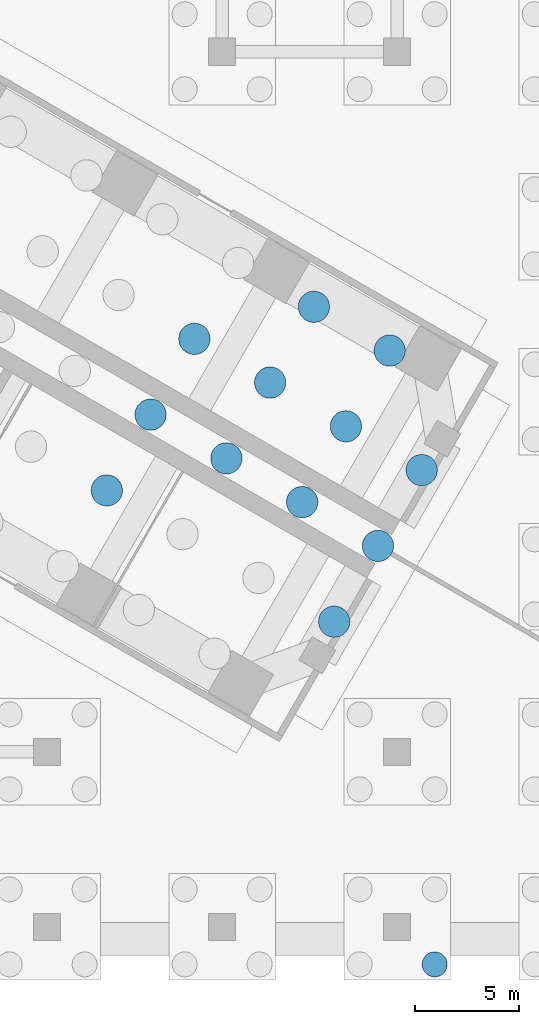
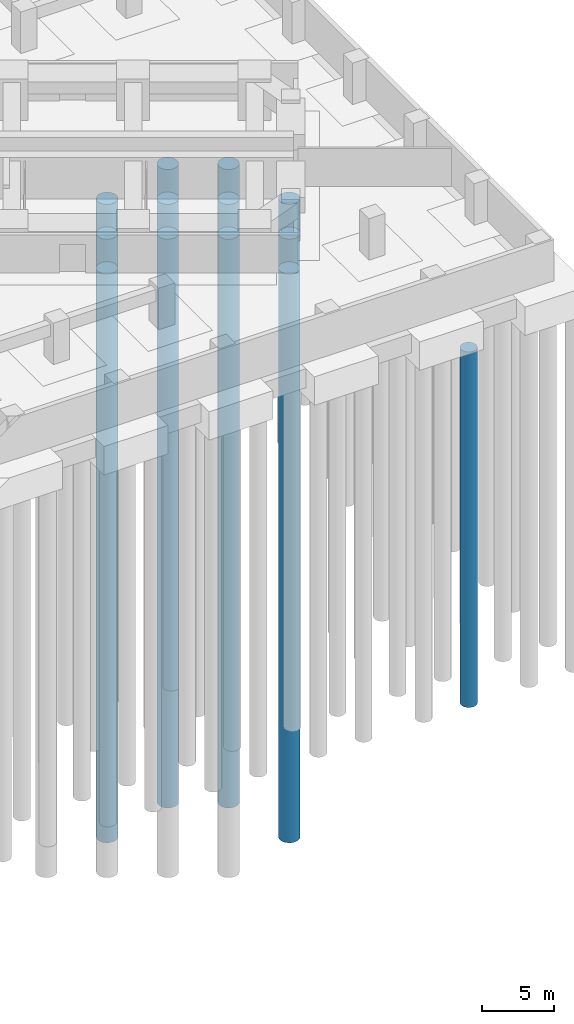
# One storey, part 23 of 73: 13 piles.
"""IFC4 building model written with IfcOpenShell, lengths in metres."""

from ifc_helpers import new_model, si_unit, direction, frame, origin, origin_2d, place, context, subcontext, project, spatial, polyline, circle, outline, extrude, material, material_profile, profile_set, type_object, element, save


model = new_model("IFC4")

# Units and contexts
model_context = context("Model", 3, precision=1e-05, world=origin(), true_north=direction((0.0, 1.0)))
body_context = subcontext(model_context, "Body", "Model", "MODEL_VIEW")
ifc_project = project(units=[si_unit("LENGTHUNIT", "METRE"), si_unit("AREAUNIT", "SQUARE_METRE"), si_unit("VOLUMEUNIT", "CUBIC_METRE"), si_unit("PLANEANGLEUNIT", "RADIAN"), si_unit("MASSUNIT", "GRAM", prefix="KILO")], contexts=[model_context])

# Site, building, storey
site_placement = place(None, origin())
site = spatial("IfcSite", under=ifc_project, at=site_placement, CompositionType="ELEMENT")
building_placement = place(site_placement, origin())
building = spatial("IfcBuilding", under=site, at=building_placement, Name="Impinga Residences", CompositionType="ELEMENT")
storey_placement = place(building_placement, frame((0.0, 0.0, -10.5)))
storey = spatial("IfcBuildingStorey", under=building, at=storey_placement, Name="B3", CompositionType="ELEMENT", Elevation=-10.5)

# Piles
ifc_material = material(Name="Concrete C35/45", Category="concrete")
ifc_material_profile_1 = material_profile(ifc_material, circle(Radius=0.75, at=origin_2d()), Name="D1500")
ifc_profile_set_1 = profile_set([ifc_material_profile_1], Name="Concrete C35/45")
pile_type_1 = type_object("IfcPileType", Name="BP1 bored pile D1500", PredefinedType="BORED", material=ifc_profile_set_1)
pile_1_placement = place(storey_placement, frame((38.976806640625, -27.35302734375, -4.0), z_axis=(0.0, 0.0, -1.0), x_axis=(1.0, 0.0, 0.0)))
element("IfcPile", 1, at=pile_1_placement, inside=storey, type_object=pile_type_1, Name="Raft pile BP1-004", PredefinedType="BORED", context=body_context, shape_type="SweptSolid", body=[
    extrude(outline(polyline([(0.75, 0.0), (0.746337890625, 0.073486328125), (0.735595703125, 0.146240234375), (0.7177734375, 0.2177734375), (0.69287109375, 0.287109375), (0.661376953125, 0.353515625), (0.62353515625, 0.416748046875), (0.579833984375, 0.475830078125), (0.5302734375, 0.5302734375), (0.475830078125, 0.579833984375), (0.416748046875, 0.62353515625), (0.353515625, 0.661376953125), (0.287109375, 0.69287109375), (0.2177734375, 0.7177734375), (0.146240234375, 0.735595703125), (0.073486328125, 0.746337890625), (0.0, 0.75), (-0.073486328125, 0.746337890625), (-0.146240234375, 0.735595703125), (-0.2177734375, 0.7177734375), (-0.287109375, 0.69287109375), (-0.353515625, 0.661376953125), (-0.416748046875, 0.62353515625), (-0.475830078125, 0.579833984375), (-0.5302734375, 0.5302734375), (-0.579833984375, 0.475830078125), (-0.62353515625, 0.416748046875), (-0.661376953125, 0.353515625), (-0.69287109375, 0.287109375), (-0.7177734375, 0.2177734375), (-0.735595703125, 0.146240234375), (-0.746337890625, 0.073486328125), (-0.75, 0.0), (-0.746337890625, -0.073486328125), (-0.735595703125, -0.146240234375), (-0.7177734375, -0.2177734375), (-0.69287109375, -0.287109375), (-0.661376953125, -0.353515625), (-0.62353515625, -0.416748046875), (-0.579833984375, -0.475830078125), (-0.5302734375, -0.5302734375), (-0.475830078125, -0.579833984375), (-0.416748046875, -0.62353515625), (-0.353515625, -0.661376953125), (-0.287109375, -0.69287109375), (-0.2177734375, -0.7177734375), (-0.146240234375, -0.735595703125), (-0.073486328125, -0.746337890625), (0.0, -0.75), (0.073486328125, -0.746337890625), (0.146240234375, -0.735595703125), (0.2177734375, -0.7177734375), (0.287109375, -0.69287109375), (0.353515625, -0.661376953125), (0.416748046875, -0.62353515625), (0.475830078125, -0.579833984375), (0.5302734375, -0.5302734375), (0.579833984375, -0.475830078125), (0.62353515625, -0.416748046875), (0.661376953125, -0.353515625), (0.69287109375, -0.287109375), (0.7177734375, -0.2177734375), (0.735595703125, -0.146240234375), (0.746337890625, -0.073486328125), (0.75, 0.0)])), origin(), (0.0, 0.0, 1.0), 48.0),
])
pile_2_placement = place(storey_placement, frame((41.076904296875, -23.7158203125, -4.0), z_axis=(0.0, 0.0, -1.0), x_axis=(1.0, 0.0, 0.0)))
element("IfcPile", 2, at=pile_2_placement, inside=storey, type_object=pile_type_1, Name="Raft pile BP1-012", PredefinedType="BORED", context=body_context, shape_type="SweptSolid", body=[
    extrude(outline(polyline([(0.75, 0.0), (0.746337890625, 0.073486328125), (0.735595703125, 0.146240234375), (0.7177734375, 0.2177734375), (0.69287109375, 0.287109375), (0.661376953125, 0.353515625), (0.62353515625, 0.416748046875), (0.579833984375, 0.475830078125), (0.5302734375, 0.5302734375), (0.475830078125, 0.579833984375), (0.416748046875, 0.62353515625), (0.353515625, 0.661376953125), (0.287109375, 0.69287109375), (0.2177734375, 0.7177734375), (0.146240234375, 0.735595703125), (0.073486328125, 0.746337890625), (0.0, 0.75), (-0.073486328125, 0.746337890625), (-0.146240234375, 0.735595703125), (-0.2177734375, 0.7177734375), (-0.287109375, 0.69287109375), (-0.353515625, 0.661376953125), (-0.416748046875, 0.62353515625), (-0.475830078125, 0.579833984375), (-0.5302734375, 0.5302734375), (-0.579833984375, 0.475830078125), (-0.62353515625, 0.416748046875), (-0.661376953125, 0.353515625), (-0.69287109375, 0.287109375), (-0.7177734375, 0.2177734375), (-0.735595703125, 0.146240234375), (-0.746337890625, 0.073486328125), (-0.75, 0.0), (-0.746337890625, -0.073486328125), (-0.735595703125, -0.146240234375), (-0.7177734375, -0.2177734375), (-0.69287109375, -0.287109375), (-0.661376953125, -0.353515625), (-0.62353515625, -0.416748046875), (-0.579833984375, -0.475830078125), (-0.5302734375, -0.5302734375), (-0.475830078125, -0.579833984375), (-0.416748046875, -0.62353515625), (-0.353515625, -0.661376953125), (-0.287109375, -0.69287109375), (-0.2177734375, -0.7177734375), (-0.146240234375, -0.735595703125), (-0.073486328125, -0.746337890625), (0.0, -0.75), (0.073486328125, -0.746337890625), (0.146240234375, -0.735595703125), (0.2177734375, -0.7177734375), (0.287109375, -0.69287109375), (0.353515625, -0.661376953125), (0.416748046875, -0.62353515625), (0.475830078125, -0.579833984375), (0.5302734375, -0.5302734375), (0.579833984375, -0.475830078125), (0.62353515625, -0.416748046875), (0.661376953125, -0.353515625), (0.69287109375, -0.287109375), (0.7177734375, -0.2177734375), (0.735595703125, -0.146240234375), (0.746337890625, -0.073486328125), (0.75, 0.0)])), origin(), (0.0, 0.0, 1.0), 48.0),
])
pile_3_placement = place(storey_placement, frame((37.439697265625, -21.61572265625, -4.0), z_axis=(0.0, 0.0, -1.0), x_axis=(1.0, 0.0, 0.0)))
element("IfcPile", 3, at=pile_3_placement, inside=storey, type_object=pile_type_1, Name="Raft pile BP1-018", PredefinedType="BORED", context=body_context, shape_type="SweptSolid", body=[
    extrude(outline(polyline([(0.75, 0.0), (0.746337890625, 0.073486328125), (0.735595703125, 0.146240234375), (0.7177734375, 0.2177734375), (0.69287109375, 0.287109375), (0.661376953125, 0.353515625), (0.62353515625, 0.416748046875), (0.579833984375, 0.475830078125), (0.5302734375, 0.5302734375), (0.475830078125, 0.579833984375), (0.416748046875, 0.62353515625), (0.353515625, 0.661376953125), (0.287109375, 0.69287109375), (0.2177734375, 0.7177734375), (0.146240234375, 0.735595703125), (0.073486328125, 0.746337890625), (0.0, 0.75), (-0.073486328125, 0.746337890625), (-0.146240234375, 0.735595703125), (-0.2177734375, 0.7177734375), (-0.287109375, 0.69287109375), (-0.353515625, 0.661376953125), (-0.416748046875, 0.62353515625), (-0.475830078125, 0.579833984375), (-0.5302734375, 0.5302734375), (-0.579833984375, 0.475830078125), (-0.62353515625, 0.416748046875), (-0.661376953125, 0.353515625), (-0.69287109375, 0.287109375), (-0.7177734375, 0.2177734375), (-0.735595703125, 0.146240234375), (-0.746337890625, 0.073486328125), (-0.75, 0.0), (-0.746337890625, -0.073486328125), (-0.735595703125, -0.146240234375), (-0.7177734375, -0.2177734375), (-0.69287109375, -0.287109375), (-0.661376953125, -0.353515625), (-0.62353515625, -0.416748046875), (-0.579833984375, -0.475830078125), (-0.5302734375, -0.5302734375), (-0.475830078125, -0.579833984375), (-0.416748046875, -0.62353515625), (-0.353515625, -0.661376953125), (-0.287109375, -0.69287109375), (-0.2177734375, -0.7177734375), (-0.146240234375, -0.735595703125), (-0.073486328125, -0.746337890625), (0.0, -0.75), (0.073486328125, -0.746337890625), (0.146240234375, -0.735595703125), (0.2177734375, -0.7177734375), (0.287109375, -0.69287109375), (0.353515625, -0.661376953125), (0.416748046875, -0.62353515625), (0.475830078125, -0.579833984375), (0.5302734375, -0.5302734375), (0.579833984375, -0.475830078125), (0.62353515625, -0.416748046875), (0.661376953125, -0.353515625), (0.69287109375, -0.287109375), (0.7177734375, -0.2177734375), (0.735595703125, -0.146240234375), (0.746337890625, -0.073486328125), (0.75, 0.0)])), origin(), (0.0, 0.0, 1.0), 48.0),
])
pile_4_placement = place(storey_placement, frame((28.06494140625, -21.052978515625, -4.0), z_axis=(0.0, 0.0, -1.0), x_axis=(1.0, 0.0, 0.0)))
element("IfcPile", 4, at=pile_4_placement, inside=storey, type_object=pile_type_1, Name="Raft pile BP1-020", PredefinedType="BORED", context=body_context, shape_type="SweptSolid", body=[
    extrude(outline(polyline([(0.75, 0.0), (0.746337890625, 0.073486328125), (0.735595703125, 0.146240234375), (0.7177734375, 0.2177734375), (0.69287109375, 0.287109375), (0.661376953125, 0.353515625), (0.62353515625, 0.416748046875), (0.579833984375, 0.475830078125), (0.5302734375, 0.5302734375), (0.475830078125, 0.579833984375), (0.416748046875, 0.62353515625), (0.353515625, 0.661376953125), (0.287109375, 0.69287109375), (0.2177734375, 0.7177734375), (0.146240234375, 0.735595703125), (0.073486328125, 0.746337890625), (0.0, 0.75), (-0.073486328125, 0.746337890625), (-0.146240234375, 0.735595703125), (-0.2177734375, 0.7177734375), (-0.287109375, 0.69287109375), (-0.353515625, 0.661376953125), (-0.416748046875, 0.62353515625), (-0.475830078125, 0.579833984375), (-0.5302734375, 0.5302734375), (-0.579833984375, 0.475830078125), (-0.62353515625, 0.416748046875), (-0.661376953125, 0.353515625), (-0.69287109375, 0.287109375), (-0.7177734375, 0.2177734375), (-0.735595703125, 0.146240234375), (-0.746337890625, 0.073486328125), (-0.75, 0.0), (-0.746337890625, -0.073486328125), (-0.735595703125, -0.146240234375), (-0.7177734375, -0.2177734375), (-0.69287109375, -0.287109375), (-0.661376953125, -0.353515625), (-0.62353515625, -0.416748046875), (-0.579833984375, -0.475830078125), (-0.5302734375, -0.5302734375), (-0.475830078125, -0.579833984375), (-0.416748046875, -0.62353515625), (-0.353515625, -0.661376953125), (-0.287109375, -0.69287109375), (-0.2177734375, -0.7177734375), (-0.146240234375, -0.735595703125), (-0.073486328125, -0.746337890625), (0.0, -0.75), (0.073486328125, -0.746337890625), (0.146240234375, -0.735595703125), (0.2177734375, -0.7177734375), (0.287109375, -0.69287109375), (0.353515625, -0.661376953125), (0.416748046875, -0.62353515625), (0.475830078125, -0.579833984375), (0.5302734375, -0.5302734375), (0.579833984375, -0.475830078125), (0.62353515625, -0.416748046875), (0.661376953125, -0.353515625), (0.69287109375, -0.287109375), (0.7177734375, -0.2177734375), (0.735595703125, -0.146240234375), (0.746337890625, -0.073486328125), (0.75, 0.0)])), origin(), (0.0, 0.0, 1.0), 48.0),
])
pile_5_placement = place(storey_placement, frame((43.177001953125, -20.078369140625, -4.0), z_axis=(0.0, 0.0, -1.0), x_axis=(1.0, 0.0, 0.0)))
element("IfcPile", 5, at=pile_5_placement, inside=storey, type_object=pile_type_1, Name="Raft pile BP1-024", PredefinedType="BORED", context=body_context, shape_type="SweptSolid", body=[
    extrude(outline(polyline([(0.75, 0.0), (0.746337890625, 0.073486328125), (0.735595703125, 0.146240234375), (0.7177734375, 0.2177734375), (0.69287109375, 0.287109375), (0.661376953125, 0.353515625), (0.62353515625, 0.416748046875), (0.579833984375, 0.475830078125), (0.5302734375, 0.5302734375), (0.475830078125, 0.579833984375), (0.416748046875, 0.62353515625), (0.353515625, 0.661376953125), (0.287109375, 0.69287109375), (0.2177734375, 0.7177734375), (0.146240234375, 0.735595703125), (0.073486328125, 0.746337890625), (0.0, 0.75), (-0.073486328125, 0.746337890625), (-0.146240234375, 0.735595703125), (-0.2177734375, 0.7177734375), (-0.287109375, 0.69287109375), (-0.353515625, 0.661376953125), (-0.416748046875, 0.62353515625), (-0.475830078125, 0.579833984375), (-0.5302734375, 0.5302734375), (-0.579833984375, 0.475830078125), (-0.62353515625, 0.416748046875), (-0.661376953125, 0.353515625), (-0.69287109375, 0.287109375), (-0.7177734375, 0.2177734375), (-0.735595703125, 0.146240234375), (-0.746337890625, 0.073486328125), (-0.75, 0.0), (-0.746337890625, -0.073486328125), (-0.735595703125, -0.146240234375), (-0.7177734375, -0.2177734375), (-0.69287109375, -0.287109375), (-0.661376953125, -0.353515625), (-0.62353515625, -0.416748046875), (-0.579833984375, -0.475830078125), (-0.5302734375, -0.5302734375), (-0.475830078125, -0.579833984375), (-0.416748046875, -0.62353515625), (-0.353515625, -0.661376953125), (-0.287109375, -0.69287109375), (-0.2177734375, -0.7177734375), (-0.146240234375, -0.735595703125), (-0.073486328125, -0.746337890625), (0.0, -0.75), (0.073486328125, -0.746337890625), (0.146240234375, -0.735595703125), (0.2177734375, -0.7177734375), (0.287109375, -0.69287109375), (0.353515625, -0.661376953125), (0.416748046875, -0.62353515625), (0.475830078125, -0.579833984375), (0.5302734375, -0.5302734375), (0.579833984375, -0.475830078125), (0.62353515625, -0.416748046875), (0.661376953125, -0.353515625), (0.69287109375, -0.287109375), (0.7177734375, -0.2177734375), (0.735595703125, -0.146240234375), (0.746337890625, -0.073486328125), (0.75, 0.0)])), origin(), (0.0, 0.0, 1.0), 48.0),
])
pile_6_placement = place(storey_placement, frame((33.80224609375, -19.515869140625, -4.0), z_axis=(0.0, 0.0, -1.0), x_axis=(1.0, 0.0, 0.0)))
element("IfcPile", 6, at=pile_6_placement, inside=storey, type_object=pile_type_1, Name="Raft pile BP1-026", PredefinedType="BORED", context=body_context, shape_type="SweptSolid", body=[
    extrude(outline(polyline([(0.75, 0.0), (0.746337890625, 0.073486328125), (0.735595703125, 0.146240234375), (0.7177734375, 0.2177734375), (0.69287109375, 0.287109375), (0.661376953125, 0.353515625), (0.62353515625, 0.416748046875), (0.579833984375, 0.475830078125), (0.5302734375, 0.5302734375), (0.475830078125, 0.579833984375), (0.416748046875, 0.62353515625), (0.353515625, 0.661376953125), (0.287109375, 0.69287109375), (0.2177734375, 0.7177734375), (0.146240234375, 0.735595703125), (0.073486328125, 0.746337890625), (0.0, 0.75), (-0.073486328125, 0.746337890625), (-0.146240234375, 0.735595703125), (-0.2177734375, 0.7177734375), (-0.287109375, 0.69287109375), (-0.353515625, 0.661376953125), (-0.416748046875, 0.62353515625), (-0.475830078125, 0.579833984375), (-0.5302734375, 0.5302734375), (-0.579833984375, 0.475830078125), (-0.62353515625, 0.416748046875), (-0.661376953125, 0.353515625), (-0.69287109375, 0.287109375), (-0.7177734375, 0.2177734375), (-0.735595703125, 0.146240234375), (-0.746337890625, 0.073486328125), (-0.75, 0.0), (-0.746337890625, -0.073486328125), (-0.735595703125, -0.146240234375), (-0.7177734375, -0.2177734375), (-0.69287109375, -0.287109375), (-0.661376953125, -0.353515625), (-0.62353515625, -0.416748046875), (-0.579833984375, -0.475830078125), (-0.5302734375, -0.5302734375), (-0.475830078125, -0.579833984375), (-0.416748046875, -0.62353515625), (-0.353515625, -0.661376953125), (-0.287109375, -0.69287109375), (-0.2177734375, -0.7177734375), (-0.146240234375, -0.735595703125), (-0.073486328125, -0.746337890625), (0.0, -0.75), (0.073486328125, -0.746337890625), (0.146240234375, -0.735595703125), (0.2177734375, -0.7177734375), (0.287109375, -0.69287109375), (0.353515625, -0.661376953125), (0.416748046875, -0.62353515625), (0.475830078125, -0.579833984375), (0.5302734375, -0.5302734375), (0.579833984375, -0.475830078125), (0.62353515625, -0.416748046875), (0.661376953125, -0.353515625), (0.69287109375, -0.287109375), (0.7177734375, -0.2177734375), (0.735595703125, -0.146240234375), (0.746337890625, -0.073486328125), (0.75, 0.0)])), origin(), (0.0, 0.0, 1.0), 48.0),
])
pile_7_placement = place(storey_placement, frame((39.53955078125, -17.978515625, -4.0), z_axis=(0.0, 0.0, -1.0), x_axis=(1.0, 0.0, 0.0)))
element("IfcPile", 7, at=pile_7_placement, inside=storey, type_object=pile_type_1, Name="Raft pile BP1-032", PredefinedType="BORED", context=body_context, shape_type="SweptSolid", body=[
    extrude(outline(polyline([(0.75, 0.0), (0.746337890625, 0.073486328125), (0.735595703125, 0.146240234375), (0.7177734375, 0.2177734375), (0.69287109375, 0.287109375), (0.661376953125, 0.353515625), (0.62353515625, 0.416748046875), (0.579833984375, 0.475830078125), (0.5302734375, 0.5302734375), (0.475830078125, 0.579833984375), (0.416748046875, 0.62353515625), (0.353515625, 0.661376953125), (0.287109375, 0.69287109375), (0.2177734375, 0.7177734375), (0.146240234375, 0.735595703125), (0.073486328125, 0.746337890625), (0.0, 0.75), (-0.073486328125, 0.746337890625), (-0.146240234375, 0.735595703125), (-0.2177734375, 0.7177734375), (-0.287109375, 0.69287109375), (-0.353515625, 0.661376953125), (-0.416748046875, 0.62353515625), (-0.475830078125, 0.579833984375), (-0.5302734375, 0.5302734375), (-0.579833984375, 0.475830078125), (-0.62353515625, 0.416748046875), (-0.661376953125, 0.353515625), (-0.69287109375, 0.287109375), (-0.7177734375, 0.2177734375), (-0.735595703125, 0.146240234375), (-0.746337890625, 0.073486328125), (-0.75, 0.0), (-0.746337890625, -0.073486328125), (-0.735595703125, -0.146240234375), (-0.7177734375, -0.2177734375), (-0.69287109375, -0.287109375), (-0.661376953125, -0.353515625), (-0.62353515625, -0.416748046875), (-0.579833984375, -0.475830078125), (-0.5302734375, -0.5302734375), (-0.475830078125, -0.579833984375), (-0.416748046875, -0.62353515625), (-0.353515625, -0.661376953125), (-0.287109375, -0.69287109375), (-0.2177734375, -0.7177734375), (-0.146240234375, -0.735595703125), (-0.073486328125, -0.746337890625), (0.0, -0.75), (0.073486328125, -0.746337890625), (0.146240234375, -0.735595703125), (0.2177734375, -0.7177734375), (0.287109375, -0.69287109375), (0.353515625, -0.661376953125), (0.416748046875, -0.62353515625), (0.475830078125, -0.579833984375), (0.5302734375, -0.5302734375), (0.579833984375, -0.475830078125), (0.62353515625, -0.416748046875), (0.661376953125, -0.353515625), (0.69287109375, -0.287109375), (0.7177734375, -0.2177734375), (0.735595703125, -0.146240234375), (0.746337890625, -0.073486328125), (0.75, 0.0)])), origin(), (0.0, 0.0, 1.0), 48.0),
])
pile_8_placement = place(storey_placement, frame((30.1650390625, -17.415771484375, -4.0), z_axis=(0.0, 0.0, -1.0), x_axis=(1.0, 0.0, 0.0)))
element("IfcPile", 8, at=pile_8_placement, inside=storey, type_object=pile_type_1, Name="Raft pile BP1-034", PredefinedType="BORED", context=body_context, shape_type="SweptSolid", body=[
    extrude(outline(polyline([(0.75, 0.0), (0.746337890625, 0.073486328125), (0.735595703125, 0.146240234375), (0.7177734375, 0.2177734375), (0.69287109375, 0.287109375), (0.661376953125, 0.353515625), (0.62353515625, 0.416748046875), (0.579833984375, 0.475830078125), (0.5302734375, 0.5302734375), (0.475830078125, 0.579833984375), (0.416748046875, 0.62353515625), (0.353515625, 0.661376953125), (0.287109375, 0.69287109375), (0.2177734375, 0.7177734375), (0.146240234375, 0.735595703125), (0.073486328125, 0.746337890625), (0.0, 0.75), (-0.073486328125, 0.746337890625), (-0.146240234375, 0.735595703125), (-0.2177734375, 0.7177734375), (-0.287109375, 0.69287109375), (-0.353515625, 0.661376953125), (-0.416748046875, 0.62353515625), (-0.475830078125, 0.579833984375), (-0.5302734375, 0.5302734375), (-0.579833984375, 0.475830078125), (-0.62353515625, 0.416748046875), (-0.661376953125, 0.353515625), (-0.69287109375, 0.287109375), (-0.7177734375, 0.2177734375), (-0.735595703125, 0.146240234375), (-0.746337890625, 0.073486328125), (-0.75, 0.0), (-0.746337890625, -0.073486328125), (-0.735595703125, -0.146240234375), (-0.7177734375, -0.2177734375), (-0.69287109375, -0.287109375), (-0.661376953125, -0.353515625), (-0.62353515625, -0.416748046875), (-0.579833984375, -0.475830078125), (-0.5302734375, -0.5302734375), (-0.475830078125, -0.579833984375), (-0.416748046875, -0.62353515625), (-0.353515625, -0.661376953125), (-0.287109375, -0.69287109375), (-0.2177734375, -0.7177734375), (-0.146240234375, -0.735595703125), (-0.073486328125, -0.746337890625), (0.0, -0.75), (0.073486328125, -0.746337890625), (0.146240234375, -0.735595703125), (0.2177734375, -0.7177734375), (0.287109375, -0.69287109375), (0.353515625, -0.661376953125), (0.416748046875, -0.62353515625), (0.475830078125, -0.579833984375), (0.5302734375, -0.5302734375), (0.579833984375, -0.475830078125), (0.62353515625, -0.416748046875), (0.661376953125, -0.353515625), (0.69287109375, -0.287109375), (0.7177734375, -0.2177734375), (0.735595703125, -0.146240234375), (0.746337890625, -0.073486328125), (0.75, 0.0)])), origin(), (0.0, 0.0, 1.0), 48.0),
])
pile_9_placement = place(storey_placement, frame((35.90234375, -15.87841796875, -4.0), z_axis=(0.0, 0.0, -1.0), x_axis=(1.0, 0.0, 0.0)))
element("IfcPile", 9, at=pile_9_placement, inside=storey, type_object=pile_type_1, Name="Raft pile BP1-040", PredefinedType="BORED", context=body_context, shape_type="SweptSolid", body=[
    extrude(outline(polyline([(0.75, 0.0), (0.746337890625, 0.073486328125), (0.735595703125, 0.146240234375), (0.7177734375, 0.2177734375), (0.69287109375, 0.287109375), (0.661376953125, 0.353515625), (0.62353515625, 0.416748046875), (0.579833984375, 0.475830078125), (0.5302734375, 0.5302734375), (0.475830078125, 0.579833984375), (0.416748046875, 0.62353515625), (0.353515625, 0.661376953125), (0.287109375, 0.69287109375), (0.2177734375, 0.7177734375), (0.146240234375, 0.735595703125), (0.073486328125, 0.746337890625), (0.0, 0.75), (-0.073486328125, 0.746337890625), (-0.146240234375, 0.735595703125), (-0.2177734375, 0.7177734375), (-0.287109375, 0.69287109375), (-0.353515625, 0.661376953125), (-0.416748046875, 0.62353515625), (-0.475830078125, 0.579833984375), (-0.5302734375, 0.5302734375), (-0.579833984375, 0.475830078125), (-0.62353515625, 0.416748046875), (-0.661376953125, 0.353515625), (-0.69287109375, 0.287109375), (-0.7177734375, 0.2177734375), (-0.735595703125, 0.146240234375), (-0.746337890625, 0.073486328125), (-0.75, 0.0), (-0.746337890625, -0.073486328125), (-0.735595703125, -0.146240234375), (-0.7177734375, -0.2177734375), (-0.69287109375, -0.287109375), (-0.661376953125, -0.353515625), (-0.62353515625, -0.416748046875), (-0.579833984375, -0.475830078125), (-0.5302734375, -0.5302734375), (-0.475830078125, -0.579833984375), (-0.416748046875, -0.62353515625), (-0.353515625, -0.661376953125), (-0.287109375, -0.69287109375), (-0.2177734375, -0.7177734375), (-0.146240234375, -0.735595703125), (-0.073486328125, -0.746337890625), (0.0, -0.75), (0.073486328125, -0.746337890625), (0.146240234375, -0.735595703125), (0.2177734375, -0.7177734375), (0.287109375, -0.69287109375), (0.353515625, -0.661376953125), (0.416748046875, -0.62353515625), (0.475830078125, -0.579833984375), (0.5302734375, -0.5302734375), (0.579833984375, -0.475830078125), (0.62353515625, -0.416748046875), (0.661376953125, -0.353515625), (0.69287109375, -0.287109375), (0.7177734375, -0.2177734375), (0.735595703125, -0.146240234375), (0.746337890625, -0.073486328125), (0.75, 0.0)])), origin(), (0.0, 0.0, 1.0), 48.0),
])
pile_10_placement = place(storey_placement, frame((41.6396484375, -14.341064453125, -4.0), z_axis=(0.0, 0.0, -1.0), x_axis=(1.0, 0.0, 0.0)))
element("IfcPile", 10, at=pile_10_placement, inside=storey, type_object=pile_type_1, Name="Raft pile BP1-046", PredefinedType="BORED", context=body_context, shape_type="SweptSolid", body=[
    extrude(outline(polyline([(0.75, 0.0), (0.746337890625, 0.073486328125), (0.735595703125, 0.146240234375), (0.7177734375, 0.2177734375), (0.69287109375, 0.287109375), (0.661376953125, 0.353515625), (0.62353515625, 0.416748046875), (0.579833984375, 0.475830078125), (0.5302734375, 0.5302734375), (0.475830078125, 0.579833984375), (0.416748046875, 0.62353515625), (0.353515625, 0.661376953125), (0.287109375, 0.69287109375), (0.2177734375, 0.7177734375), (0.146240234375, 0.735595703125), (0.073486328125, 0.746337890625), (0.0, 0.75), (-0.073486328125, 0.746337890625), (-0.146240234375, 0.735595703125), (-0.2177734375, 0.7177734375), (-0.287109375, 0.69287109375), (-0.353515625, 0.661376953125), (-0.416748046875, 0.62353515625), (-0.475830078125, 0.579833984375), (-0.5302734375, 0.5302734375), (-0.579833984375, 0.475830078125), (-0.62353515625, 0.416748046875), (-0.661376953125, 0.353515625), (-0.69287109375, 0.287109375), (-0.7177734375, 0.2177734375), (-0.735595703125, 0.146240234375), (-0.746337890625, 0.073486328125), (-0.75, 0.0), (-0.746337890625, -0.073486328125), (-0.735595703125, -0.146240234375), (-0.7177734375, -0.2177734375), (-0.69287109375, -0.287109375), (-0.661376953125, -0.353515625), (-0.62353515625, -0.416748046875), (-0.579833984375, -0.475830078125), (-0.5302734375, -0.5302734375), (-0.475830078125, -0.579833984375), (-0.416748046875, -0.62353515625), (-0.353515625, -0.661376953125), (-0.287109375, -0.69287109375), (-0.2177734375, -0.7177734375), (-0.146240234375, -0.735595703125), (-0.073486328125, -0.746337890625), (0.0, -0.75), (0.073486328125, -0.746337890625), (0.146240234375, -0.735595703125), (0.2177734375, -0.7177734375), (0.287109375, -0.69287109375), (0.353515625, -0.661376953125), (0.416748046875, -0.62353515625), (0.475830078125, -0.579833984375), (0.5302734375, -0.5302734375), (0.579833984375, -0.475830078125), (0.62353515625, -0.416748046875), (0.661376953125, -0.353515625), (0.69287109375, -0.287109375), (0.7177734375, -0.2177734375), (0.735595703125, -0.146240234375), (0.746337890625, -0.073486328125), (0.75, 0.0)])), origin(), (0.0, 0.0, 1.0), 48.0),
])
pile_11_placement = place(storey_placement, frame((32.264892578125, -13.778564453125, -4.0), z_axis=(0.0, 0.0, -1.0), x_axis=(1.0, 0.0, 0.0)))
element("IfcPile", 11, at=pile_11_placement, inside=storey, type_object=pile_type_1, Name="Raft pile BP1-048", PredefinedType="BORED", context=body_context, shape_type="SweptSolid", body=[
    extrude(outline(polyline([(0.75, 0.0), (0.746337890625, 0.073486328125), (0.735595703125, 0.146240234375), (0.7177734375, 0.2177734375), (0.69287109375, 0.287109375), (0.661376953125, 0.353515625), (0.62353515625, 0.416748046875), (0.579833984375, 0.475830078125), (0.5302734375, 0.5302734375), (0.475830078125, 0.579833984375), (0.416748046875, 0.62353515625), (0.353515625, 0.661376953125), (0.287109375, 0.69287109375), (0.2177734375, 0.7177734375), (0.146240234375, 0.735595703125), (0.073486328125, 0.746337890625), (0.0, 0.75), (-0.073486328125, 0.746337890625), (-0.146240234375, 0.735595703125), (-0.2177734375, 0.7177734375), (-0.287109375, 0.69287109375), (-0.353515625, 0.661376953125), (-0.416748046875, 0.62353515625), (-0.475830078125, 0.579833984375), (-0.5302734375, 0.5302734375), (-0.579833984375, 0.475830078125), (-0.62353515625, 0.416748046875), (-0.661376953125, 0.353515625), (-0.69287109375, 0.287109375), (-0.7177734375, 0.2177734375), (-0.735595703125, 0.146240234375), (-0.746337890625, 0.073486328125), (-0.75, 0.0), (-0.746337890625, -0.073486328125), (-0.735595703125, -0.146240234375), (-0.7177734375, -0.2177734375), (-0.69287109375, -0.287109375), (-0.661376953125, -0.353515625), (-0.62353515625, -0.416748046875), (-0.579833984375, -0.475830078125), (-0.5302734375, -0.5302734375), (-0.475830078125, -0.579833984375), (-0.416748046875, -0.62353515625), (-0.353515625, -0.661376953125), (-0.287109375, -0.69287109375), (-0.2177734375, -0.7177734375), (-0.146240234375, -0.735595703125), (-0.073486328125, -0.746337890625), (0.0, -0.75), (0.073486328125, -0.746337890625), (0.146240234375, -0.735595703125), (0.2177734375, -0.7177734375), (0.287109375, -0.69287109375), (0.353515625, -0.661376953125), (0.416748046875, -0.62353515625), (0.475830078125, -0.579833984375), (0.5302734375, -0.5302734375), (0.579833984375, -0.475830078125), (0.62353515625, -0.416748046875), (0.661376953125, -0.353515625), (0.69287109375, -0.287109375), (0.7177734375, -0.2177734375), (0.735595703125, -0.146240234375), (0.746337890625, -0.073486328125), (0.75, 0.0)])), origin(), (0.0, 0.0, 1.0), 48.0),
])
pile_12_placement = place(storey_placement, frame((38.002197265625, -12.2412109375, -4.0), z_axis=(0.0, 0.0, -1.0), x_axis=(1.0, 0.0, 0.0)))
element("IfcPile", 12, at=pile_12_placement, inside=storey, type_object=pile_type_1, Name="Raft pile BP1-054", PredefinedType="BORED", context=body_context, shape_type="SweptSolid", body=[
    extrude(outline(polyline([(0.75, 0.0), (0.746337890625, 0.073486328125), (0.735595703125, 0.146240234375), (0.7177734375, 0.2177734375), (0.69287109375, 0.287109375), (0.661376953125, 0.353515625), (0.62353515625, 0.416748046875), (0.579833984375, 0.475830078125), (0.5302734375, 0.5302734375), (0.475830078125, 0.579833984375), (0.416748046875, 0.62353515625), (0.353515625, 0.661376953125), (0.287109375, 0.69287109375), (0.2177734375, 0.7177734375), (0.146240234375, 0.735595703125), (0.073486328125, 0.746337890625), (0.0, 0.75), (-0.073486328125, 0.746337890625), (-0.146240234375, 0.735595703125), (-0.2177734375, 0.7177734375), (-0.287109375, 0.69287109375), (-0.353515625, 0.661376953125), (-0.416748046875, 0.62353515625), (-0.475830078125, 0.579833984375), (-0.5302734375, 0.5302734375), (-0.579833984375, 0.475830078125), (-0.62353515625, 0.416748046875), (-0.661376953125, 0.353515625), (-0.69287109375, 0.287109375), (-0.7177734375, 0.2177734375), (-0.735595703125, 0.146240234375), (-0.746337890625, 0.073486328125), (-0.75, 0.0), (-0.746337890625, -0.073486328125), (-0.735595703125, -0.146240234375), (-0.7177734375, -0.2177734375), (-0.69287109375, -0.287109375), (-0.661376953125, -0.353515625), (-0.62353515625, -0.416748046875), (-0.579833984375, -0.475830078125), (-0.5302734375, -0.5302734375), (-0.475830078125, -0.579833984375), (-0.416748046875, -0.62353515625), (-0.353515625, -0.661376953125), (-0.287109375, -0.69287109375), (-0.2177734375, -0.7177734375), (-0.146240234375, -0.735595703125), (-0.073486328125, -0.746337890625), (0.0, -0.75), (0.073486328125, -0.746337890625), (0.146240234375, -0.735595703125), (0.2177734375, -0.7177734375), (0.287109375, -0.69287109375), (0.353515625, -0.661376953125), (0.416748046875, -0.62353515625), (0.475830078125, -0.579833984375), (0.5302734375, -0.5302734375), (0.579833984375, -0.475830078125), (0.62353515625, -0.416748046875), (0.661376953125, -0.353515625), (0.69287109375, -0.287109375), (0.7177734375, -0.2177734375), (0.735595703125, -0.146240234375), (0.746337890625, -0.073486328125), (0.75, 0.0)])), origin(), (0.0, 0.0, 1.0), 48.0),
])
ifc_material_profile_2 = material_profile(ifc_material, circle(Radius=0.60009765625, at=origin_2d()), Name="D1200")
ifc_profile_set_2 = profile_set([ifc_material_profile_2], Name="Concrete C35/45")
pile_type_2 = type_object("IfcPileType", Name="BP2 bored pile D1200", PredefinedType="BORED", material=ifc_profile_set_2)
pile_13_placement = place(storey_placement, frame((43.800048828125, -43.800048828125, -2.39990234375), z_axis=(0.0, 0.0, -1.0), x_axis=(1.0, 0.0, 0.0)))
element("IfcPile", 13, at=pile_13_placement, inside=storey, type_object=pile_type_2, Name="Cap pile BP2 12/A-2", PredefinedType="BORED", context=body_context, shape_type="SweptSolid", body=[
    extrude(outline(polyline([(0.60009765625, 0.0), (0.59716796875, 0.058837890625), (0.58837890625, 0.116943359375), (0.57421875, 0.174072265625), (0.554443359375, 0.2294921875), (0.529052734375, 0.282958984375), (0.498779296875, 0.333251953125), (0.4638671875, 0.380615234375), (0.42431640625, 0.42431640625), (0.380615234375, 0.4638671875), (0.333251953125, 0.498779296875), (0.282958984375, 0.529052734375), (0.2294921875, 0.554443359375), (0.174072265625, 0.57421875), (0.116943359375, 0.58837890625), (0.058837890625, 0.59716796875), (0.0, 0.60009765625), (-0.058837890625, 0.59716796875), (-0.116943359375, 0.58837890625), (-0.174072265625, 0.57421875), (-0.2294921875, 0.554443359375), (-0.282958984375, 0.529052734375), (-0.333251953125, 0.498779296875), (-0.380615234375, 0.4638671875), (-0.42431640625, 0.42431640625), (-0.4638671875, 0.380615234375), (-0.498779296875, 0.333251953125), (-0.529052734375, 0.282958984375), (-0.554443359375, 0.2294921875), (-0.57421875, 0.174072265625), (-0.58837890625, 0.116943359375), (-0.59716796875, 0.058837890625), (-0.60009765625, 0.0), (-0.59716796875, -0.058837890625), (-0.58837890625, -0.116943359375), (-0.57421875, -0.174072265625), (-0.554443359375, -0.2294921875), (-0.529052734375, -0.282958984375), (-0.498779296875, -0.333251953125), (-0.4638671875, -0.380615234375), (-0.42431640625, -0.42431640625), (-0.380615234375, -0.4638671875), (-0.333251953125, -0.498779296875), (-0.282958984375, -0.529052734375), (-0.2294921875, -0.554443359375), (-0.174072265625, -0.57421875), (-0.116943359375, -0.58837890625), (-0.058837890625, -0.59716796875), (0.0, -0.60009765625), (0.058837890625, -0.59716796875), (0.116943359375, -0.58837890625), (0.174072265625, -0.57421875), (0.2294921875, -0.554443359375), (0.282958984375, -0.529052734375), (0.333251953125, -0.498779296875), (0.380615234375, -0.4638671875), (0.42431640625, -0.42431640625), (0.4638671875, -0.380615234375), (0.498779296875, -0.333251953125), (0.529052734375, -0.282958984375), (0.554443359375, -0.2294921875), (0.57421875, -0.174072265625), (0.58837890625, -0.116943359375), (0.59716796875, -0.058837890625), (0.60009765625, 0.0)])), origin(), (0.0, 0.0, 1.0), 30.0),
])

save(model, "model.ifc")
